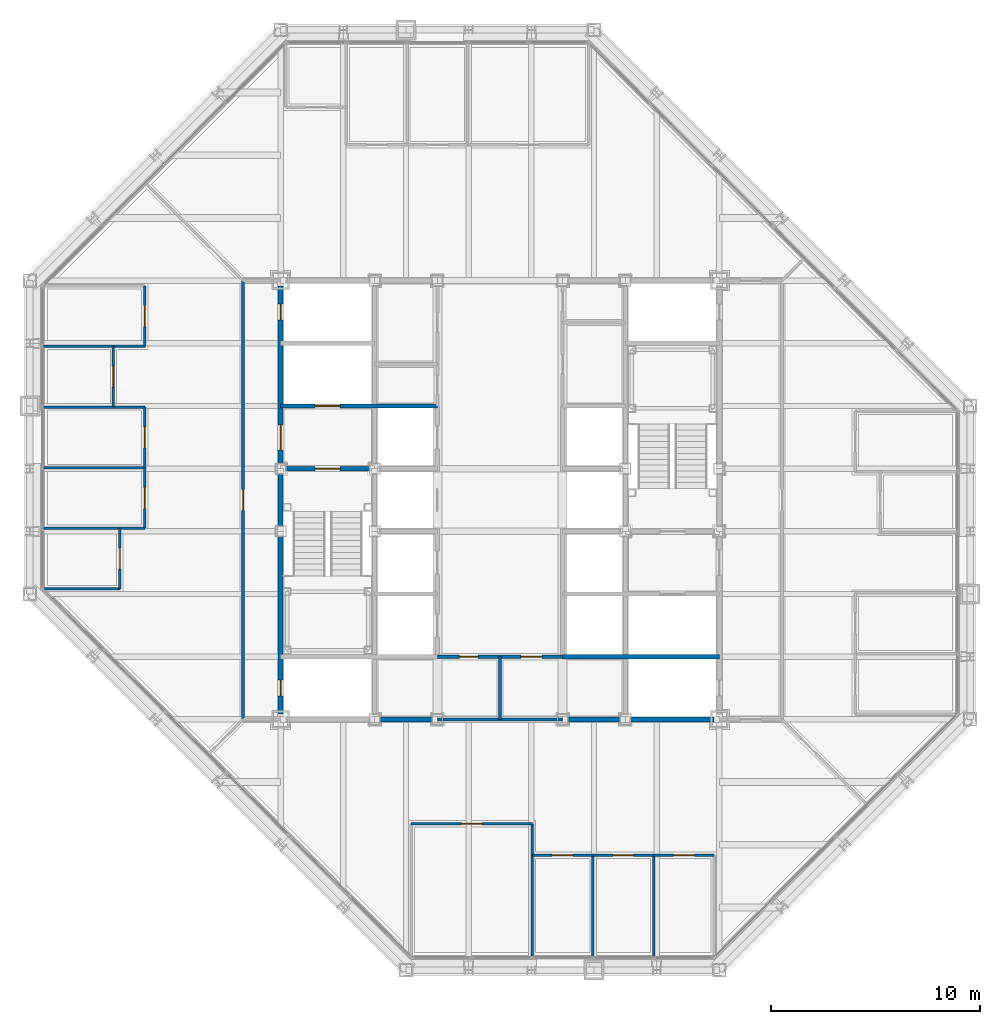
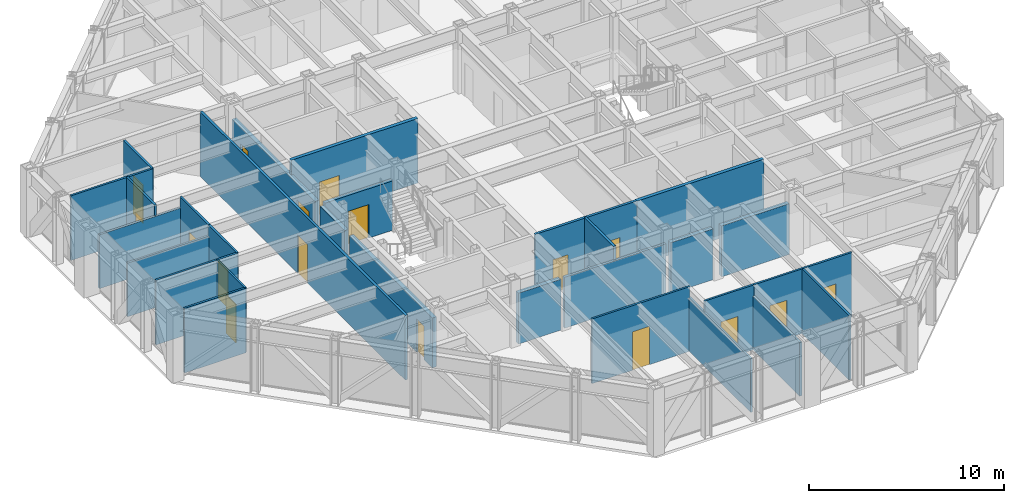
# One storey, part 11 of 16: 30 walls, 17 doors, 17 openings.
"""IFC4 building model written with IfcOpenShell, lengths in metres."""

from ifc_helpers import new_model, si_unit, direction, frame, frame_2d, origin, place, context, subcontext, project, spatial, rectangle, extrude, material, layer, layer_set, type_object, element, fill, save


model = new_model("IFC4")

# Units and contexts
model_context = context("Model", 3, precision=1e-05, world=origin(), true_north=direction((0.0, 1.0)))
body_context = subcontext(model_context, "Body", "Model", "MODEL_VIEW")
ifc_project = project(units=[si_unit("LENGTHUNIT", "METRE"), si_unit("AREAUNIT", "SQUARE_METRE"), si_unit("VOLUMEUNIT", "CUBIC_METRE"), si_unit("PLANEANGLEUNIT", "RADIAN"), si_unit("MASSUNIT", "GRAM", prefix="KILO")], contexts=[model_context])

# Site, building, storey
site_placement = place(None, origin())
site = spatial("IfcSite", under=ifc_project, at=site_placement, CompositionType="ELEMENT")
building_placement = place(site_placement, origin())
building = spatial("IfcBuilding", under=site, at=building_placement, Name="Chuquiago Exchange Tower", CompositionType="ELEMENT")
storey_placement = place(building_placement, frame((0.0, 0.0, 218.10009765625)))
storey = spatial("IfcBuildingStorey", under=building, at=storey_placement, Name="L48", CompositionType="ELEMENT", Elevation=218.10009765625)

# Wall, opening, door
ifc_material_1 = material(Name="Concrete masonry, fully grouted", Category="masonry")
ifc_layer_1 = layer(ifc_material_1, 0.25)
ifc_layer_set_1 = layer_set([ifc_layer_1], Name="W1 core wall 250")
wall_type_1 = type_object("IfcWallType", Name="W1 core wall 250", PredefinedType="SOLIDWALL", material=ifc_layer_set_1)
wall_1_placement = place(storey_placement, frame((12.0, 12.25, 0.0), z_axis=(0.0, 0.0, 1.0), x_axis=(0.0, 1.0, 0.0)))
wall_1 = element("IfcWall", 1, at=wall_1_placement, inside=storey, type_object=wall_type_1, Name="CW-L48-00-0", PredefinedType="SOLIDWALL", context=body_context, shape_type="SweptSolid", body=[
    extrude(rectangle(XDim=8.5, YDim=0.25, at=frame_2d((4.25, 0.0))), origin(), (0.0, 0.0, 1.0), 3.11279296875),
])
opening_1_placement = place(wall_1_placement, frame((0.875, 0.0, 0.0)))
opening_1 = element("IfcOpeningElement", 2, at=opening_1_placement, cuts=wall_1, Name="Opening L48-007", PredefinedType="OPENING", context=body_context, shape_type="SweptSolid", body=[
    extrude(rectangle(XDim=0.75, YDim=2.10009765625, at=frame_2d((0.375, 1.050048828125))), frame((0.0, 0.135009765625, 0.0), z_axis=(0.0, -1.0, 0.0), x_axis=(1.0, 0.0, 0.0)), (0.0, 0.0, 1.0), 0.27001953125),
])
ifc_material_2 = material(Name="Steel door, painted", Category="steel")
door_type_1 = type_object("IfcDoorType", Name="D6 riser access door 750x2100", OperationType="SINGLE_SWING_LEFT", PredefinedType="DOOR", material=ifc_material_2)
door_1_placement = place(opening_1_placement, origin())
door_1 = element("IfcDoor", 3, at=door_1_placement, inside=storey, type_object=door_type_1, Name="Riser RW1 door", OperationType="SINGLE_SWING_LEFT", OverallHeight=2.10009765625, OverallWidth=0.75, PredefinedType="DOOR", context=body_context, shape_type="SweptSolid", body=[
    extrude(rectangle(XDim=0.75, YDim=2.10009765625, at=frame_2d((0.375, 1.050048828125))), frame((0.0, 0.02490234375, 0.0), z_axis=(0.0, -1.0, 0.0), x_axis=(1.0, 0.0, 0.0)), (0.0, 0.0, 1.0), 0.050048828125),
])
fill(opening_1, door_1)

# Wall
wall_2_placement = place(storey_placement, frame((12.0, 21.25, 0.0), z_axis=(0.0, 0.0, 1.0), x_axis=(0.0, 1.0, 0.0)))
element("IfcWall", 4, at=wall_2_placement, inside=storey, type_object=wall_type_1, Name="CW-L48-00-1", PredefinedType="SOLIDWALL", context=body_context, shape_type="SweptSolid", body=[
    extrude(rectangle(XDim=2.5, YDim=0.25, at=frame_2d((1.25, 0.0))), origin(), (0.0, 0.0, 1.0), 3.11279296875),
])

# Wall, openings, doors
wall_3_placement = place(storey_placement, frame((12.0, 24.25, 0.0), z_axis=(0.0, 0.0, 1.0), x_axis=(0.0, 1.0, 0.0)))
wall_3 = element("IfcWall", 5, at=wall_3_placement, inside=storey, type_object=wall_type_1, Name="CW-L48-00-2", PredefinedType="SOLIDWALL", context=body_context, shape_type="SweptSolid", body=[
    extrude(rectangle(XDim=8.5, YDim=0.25, at=frame_2d((4.25, 0.0))), origin(), (0.0, 0.0, 1.0), 3.11279296875),
])
opening_2_placement = place(wall_3_placement, frame((0.64990234375, 0.0, 0.0)))
opening_2 = element("IfcOpeningElement", 6, at=opening_2_placement, cuts=wall_3, Name="Opening L48-002", PredefinedType="OPENING", context=body_context, shape_type="SweptSolid", body=[
    extrude(rectangle(XDim=1.199951171875, YDim=2.10009765625, at=frame_2d((0.60009765625, 1.050048828125))), frame((0.0, 0.135009765625, 0.0), z_axis=(0.0, -1.0, 0.0), x_axis=(1.0, 0.0, 0.0)), (0.0, 0.0, 1.0), 0.27001953125),
])
opening_3_placement = place(wall_3_placement, frame((6.875, 0.0, 0.0)))
opening_3 = element("IfcOpeningElement", 7, at=opening_3_placement, cuts=wall_3, Name="Opening L48-008", PredefinedType="OPENING", context=body_context, shape_type="SweptSolid", body=[
    extrude(rectangle(XDim=0.75, YDim=2.10009765625, at=frame_2d((0.375, 1.050048828125))), frame((0.0, 0.135009765625, 0.0), z_axis=(0.0, -1.0, 0.0), x_axis=(1.0, 0.0, 0.0)), (0.0, 0.0, 1.0), 0.27001953125),
])
ifc_material_3 = material(Name="Steel door, painted", Category="steel")
door_type_2 = type_object("IfcDoorType", Name="D5 firefighting lobby door 1200x2100", OperationType="SINGLE_SWING_LEFT", PredefinedType="DOOR", material=ifc_material_3)
door_2_placement = place(opening_2_placement, frame((1.199951171875, 0.0, 0.0), z_axis=(0.0, 0.0, 1.0), x_axis=(-1.0, 0.0, 0.0)))
door_2 = element("IfcDoor", 8, at=door_2_placement, inside=storey, type_object=door_type_2, Name="Firefighting lobby 1 door", OperationType="SINGLE_SWING_RIGHT", OverallHeight=2.10009765625, OverallWidth=1.199951171875, PredefinedType="DOOR", context=body_context, shape_type="SweptSolid", body=[
    extrude(rectangle(XDim=1.199951171875, YDim=2.10009765625, at=frame_2d((0.60009765625, 1.050048828125))), frame((0.0, 0.02490234375, 0.0), z_axis=(0.0, -1.0, 0.0), x_axis=(1.0, 0.0, 0.0)), (0.0, 0.0, 1.0), 0.050048828125),
])
fill(opening_2, door_2)
door_3_placement = place(opening_3_placement, origin())
door_3 = element("IfcDoor", 9, at=door_3_placement, inside=storey, type_object=door_type_1, Name="Riser RW2 door", OperationType="SINGLE_SWING_RIGHT", OverallHeight=2.10009765625, OverallWidth=0.75, PredefinedType="DOOR", context=body_context, shape_type="SweptSolid", body=[
    extrude(rectangle(XDim=0.75, YDim=2.10009765625, at=frame_2d((0.375, 1.050048828125))), frame((0.0, 0.02490234375, 0.0), z_axis=(0.0, -1.0, 0.0), x_axis=(1.0, 0.0, 0.0)), (0.0, 0.0, 1.0), 0.050048828125),
])
fill(opening_3, door_3)

# Walls
for number, where, z_axis, x_axis, name in (
    (10, (16.75, 12.0, 0.0), (0.0, 0.0, 1.0), (1.0, 0.0, 0.0), "CW-L48-01-1"),
    (11, (25.75, 12.0, 0.0), (0.0, 0.0, 1.0), (1.0, 0.0, 0.0), "CW-L48-02-0"),
):
    element("IfcWall", number, at=place(storey_placement, frame(where, z_axis=z_axis, x_axis=x_axis)), inside=storey, type_object=wall_type_1, Name=name, PredefinedType="SOLIDWALL", context=body_context, shape_type="SweptSolid", body=[
        extrude(rectangle(XDim=2.5, YDim=0.25, at=frame_2d((1.25, 0.0))), origin(), (0.0, 0.0, 1.0), 3.181396484375),
    ])
wall_4_placement = place(storey_placement, frame((28.75, 12.0, 0.0), z_axis=(0.0, 0.0, 1.0), x_axis=(1.0, 0.0, 0.0)))
element("IfcWall", 12, at=wall_4_placement, inside=storey, type_object=wall_type_1, Name="CW-L48-02-1", PredefinedType="SOLIDWALL", context=body_context, shape_type="SweptSolid", body=[
    extrude(rectangle(XDim=4.0, YDim=0.25, at=frame_2d((2.0, 0.0))), origin(), (0.0, 0.0, 1.0), 3.181396484375),
])

# Wall, opening, door
ifc_material_4 = material(Name="Gypsum board on steel studs, acoustic insulation", Category="steel")
ifc_layer_2 = layer(ifc_material_4, 0.14990234375)
ifc_layer_set_2 = layer_set([ifc_layer_2], Name="W11 corridor wall 150")
wall_type_2 = type_object("IfcWallType", Name="W11 corridor wall 150", PredefinedType="PARTITIONING", material=ifc_layer_set_2)
wall_5_placement = place(storey_placement, frame((10.199951171875, 12.0, 0.0), z_axis=(0.0, 0.0, 1.0), x_axis=(0.0, 1.0, 0.0)))
wall_5 = element("IfcWall", 13, at=wall_5_placement, inside=storey, type_object=wall_type_2, Name="PW-L48-GW0", PredefinedType="PARTITIONING", context=body_context, shape_type="SweptSolid", body=[
    extrude(rectangle(XDim=21.0, YDim=0.14990234375, at=frame_2d((10.5, 0.0))), origin(), (0.0, 0.0, 1.0), 4.039794921875),
])
opening_4_placement = place(wall_5_placement, frame((10.0, 0.0, 0.0)))
opening_4 = element("IfcOpeningElement", 14, at=opening_4_placement, cuts=wall_5, Name="Opening L48-038", PredefinedType="OPENING", context=body_context, shape_type="SweptSolid", body=[
    extrude(rectangle(XDim=1.0, YDim=2.39990234375, at=frame_2d((0.5, 1.199951171875))), frame((0.0, 0.0849609375, 0.0), z_axis=(0.0, -1.0, 0.0), x_axis=(1.0, 0.0, 0.0)), (0.0, 0.0, 1.0), 0.169921875),
])
ifc_material_5 = material(Name="Timber door, laminate faced", Category="wood")
door_type_3 = type_object("IfcDoorType", Name="D9 room door 1000x2400", OperationType="SINGLE_SWING_LEFT", PredefinedType="DOOR", material=ifc_material_5)
door_4_placement = place(opening_4_placement, origin())
door_4 = element("IfcDoor", 15, at=door_4_placement, inside=storey, type_object=door_type_3, Name="Team area door", OperationType="SINGLE_SWING_LEFT", OverallHeight=2.39990234375, OverallWidth=1.0, PredefinedType="DOOR", context=body_context, shape_type="SweptSolid", body=[
    extrude(rectangle(XDim=1.0, YDim=2.39990234375, at=frame_2d((0.5, 1.199951171875))), frame((0.0, 0.02490234375, 0.0), z_axis=(0.0, -1.0, 0.0), x_axis=(1.0, 0.0, 0.0)), (0.0, 0.0, 1.0), 0.050048828125),
])
fill(opening_4, door_4)

# Wall
ifc_material_6 = material(Name="Concrete masonry, fully grouted", Category="masonry")
ifc_layer_3 = layer(ifc_material_6, 0.199951171875)
ifc_layer_set_3 = layer_set([ifc_layer_3], Name="W2 shaft wall 200")
wall_type_3 = type_object("IfcWallType", Name="W2 shaft wall 200", PredefinedType="SOLIDWALL", material=ifc_layer_set_3)
wall_6_placement = place(storey_placement, frame((25.5, 15.0, 0.0), z_axis=(0.0, 0.0, 1.0), x_axis=(1.0, 0.0, 0.0)))
element("IfcWall", 16, at=wall_6_placement, inside=storey, type_object=wall_type_3, Name="CW-L48-04-0", PredefinedType="SOLIDWALL", context=body_context, shape_type="SweptSolid", body=[
    extrude(rectangle(XDim=7.5, YDim=0.199951171875, at=frame_2d((3.75, 0.0))), origin(), (0.0, 0.0, 1.0), 4.039794921875),
])

# Wall, opening, door
wall_7_placement = place(storey_placement, frame((12.25, 24.0, 0.0), z_axis=(0.0, 0.0, 1.0), x_axis=(1.0, 0.0, 0.0)))
wall_7 = element("IfcWall", 17, at=wall_7_placement, inside=storey, type_object=wall_type_3, Name="CW-L48-05-0", PredefinedType="SOLIDWALL", context=body_context, shape_type="SweptSolid", body=[
    extrude(rectangle(XDim=4.0, YDim=0.199951171875, at=frame_2d((2.0, 0.0))), origin(), (0.0, 0.0, 1.0), 3.08984375),
])
opening_5_placement = place(wall_7_placement, frame((1.39990234375, 0.0, 0.0)))
opening_5 = element("IfcOpeningElement", 18, at=opening_5_placement, cuts=wall_7, Name="Opening L48-001", PredefinedType="OPENING", context=body_context, shape_type="SweptSolid", body=[
    extrude(rectangle(XDim=1.199951171875, YDim=2.10009765625, at=frame_2d((0.60009765625, 1.050048828125))), frame((0.0, 0.10986328125, 0.0), z_axis=(0.0, -1.0, 0.0), x_axis=(1.0, 0.0, 0.0)), (0.0, 0.0, 1.0), 0.219970703125),
])
ifc_material_7 = material(Name="Steel door, painted", Category="steel")
door_type_4 = type_object("IfcDoorType", Name="D4 stair door 1200x2100", OperationType="SINGLE_SWING_LEFT", PredefinedType="DOOR", material=ifc_material_7)
door_5_placement = place(opening_5_placement, frame((1.199951171875, 0.0, 0.0), z_axis=(0.0, 0.0, 1.0), x_axis=(-1.0, 0.0, 0.0)))
door_5 = element("IfcDoor", 19, at=door_5_placement, inside=storey, type_object=door_type_4, Name="Stair ST1 door", OperationType="SINGLE_SWING_RIGHT", OverallHeight=2.10009765625, OverallWidth=1.199951171875, PredefinedType="DOOR", context=body_context, shape_type="SweptSolid", body=[
    extrude(rectangle(XDim=1.199951171875, YDim=2.10009765625, at=frame_2d((0.60009765625, 1.050048828125))), frame((0.0, 0.02490234375, 0.0), z_axis=(0.0, -1.0, 0.0), x_axis=(1.0, 0.0, 0.0)), (0.0, 0.0, 1.0), 0.050048828125),
])
fill(opening_5, door_5)

wall_8_placement = place(storey_placement, frame((12.0, 27.0, 0.0), z_axis=(0.0, 0.0, 1.0), x_axis=(1.0, 0.0, 0.0)))
wall_8 = element("IfcWall", 20, at=wall_8_placement, inside=storey, type_object=wall_type_3, Name="CW-L48-07-0", PredefinedType="SOLIDWALL", context=body_context, shape_type="SweptSolid", body=[
    extrude(rectangle(XDim=7.5, YDim=0.199951171875, at=frame_2d((3.75, 0.0))), origin(), (0.0, 0.0, 1.0), 4.039794921875),
])
opening_6_placement = place(wall_8_placement, frame((1.64990234375, 0.0, 0.0)))
opening_6 = element("IfcOpeningElement", 21, at=opening_6_placement, cuts=wall_8, Name="Opening L48-005", PredefinedType="OPENING", context=body_context, shape_type="SweptSolid", body=[
    extrude(rectangle(XDim=1.199951171875, YDim=2.10009765625, at=frame_2d((0.60009765625, 1.050048828125))), frame((0.0, 0.10986328125, 0.0), z_axis=(0.0, -1.0, 0.0), x_axis=(1.0, 0.0, 0.0)), (0.0, 0.0, 1.0), 0.219970703125),
])
ifc_material_8 = material(Name="Stainless steel lift landing door", Category="steel")
door_type_5 = type_object("IfcDoorType", Name="LD2 firefighting lift landing door 1200x2100", OperationType="DOUBLE_DOOR_SLIDING", PredefinedType="DOOR", material=ifc_material_8)
door_6_placement = place(opening_6_placement, origin())
door_6 = element("IfcDoor", 22, at=door_6_placement, inside=storey, type_object=door_type_5, Name="Firefighting lift FL1 landing door", OperationType="DOUBLE_DOOR_SLIDING", OverallHeight=2.10009765625, OverallWidth=1.199951171875, PredefinedType="DOOR", context=body_context, shape_type="SweptSolid", body=[
    extrude(rectangle(XDim=1.199951171875, YDim=2.10009765625, at=frame_2d((0.60009765625, 1.050048828125))), frame((0.0, 0.02490234375, 0.0), z_axis=(0.0, -1.0, 0.0), x_axis=(1.0, 0.0, 0.0)), (0.0, 0.0, 1.0), 0.050048828125),
])
fill(opening_6, door_6)

# Wall, openings, doors
ifc_material_9 = material(Name="Gypsum board on steel studs", Category="steel")
ifc_layer_4 = layer(ifc_material_9, 0.14990234375)
ifc_layer_set_4 = layer_set([ifc_layer_4], Name="W3 core partition 150")
wall_type_4 = type_object("IfcWallType", Name="W3 core partition 150", PredefinedType="PARTITIONING", material=ifc_layer_set_4)
wall_9_placement = place(storey_placement, frame((19.5, 15.0, 0.0), z_axis=(0.0, 0.0, 1.0), x_axis=(1.0, 0.0, 0.0)))
wall_9 = element("IfcWall", 23, at=wall_9_placement, inside=storey, type_object=wall_type_4, Name="CW-L48-TF", PredefinedType="PARTITIONING", context=body_context, shape_type="SweptSolid", body=[
    extrude(rectangle(XDim=6.0, YDim=0.14990234375, at=frame_2d((3.0, 0.0))), origin(), (0.0, 0.0, 1.0), 4.039794921875),
])
opening_7_placement = place(wall_9_placement, frame((4.0, 0.0, 0.0)))
opening_7 = element("IfcOpeningElement", 24, at=opening_7_placement, cuts=wall_9, Name="Opening L48-015", PredefinedType="OPENING", context=body_context, shape_type="SweptSolid", body=[
    extrude(rectangle(XDim=1.0, YDim=2.10009765625, at=frame_2d((0.5, 1.050048828125))), frame((0.0, 0.0849609375, 0.0), z_axis=(0.0, -1.0, 0.0), x_axis=(1.0, 0.0, 0.0)), (0.0, 0.0, 1.0), 0.169921875),
])
opening_8_placement = place(wall_9_placement, frame((1.050048828125, 0.0, 0.0)))
opening_8 = element("IfcOpeningElement", 25, at=opening_8_placement, cuts=wall_9, Name="Opening L48-016", PredefinedType="OPENING", context=body_context, shape_type="SweptSolid", body=[
    extrude(rectangle(XDim=0.89990234375, YDim=2.10009765625, at=frame_2d((0.449951171875, 1.050048828125))), frame((0.0, 0.0849609375, 0.0), z_axis=(0.0, -1.0, 0.0), x_axis=(1.0, 0.0, 0.0)), (0.0, 0.0, 1.0), 0.169921875),
])
ifc_material_10 = material(Name="Timber door, laminate faced", Category="wood")
door_type_6 = type_object("IfcDoorType", Name="D7 toilet door 900x2100", OperationType="SINGLE_SWING_LEFT", PredefinedType="DOOR", material=ifc_material_10)
door_7_placement = place(opening_8_placement, origin())
door_7 = element("IfcDoor", 26, at=door_7_placement, inside=storey, type_object=door_type_6, Name="Cleaner door", OperationType="SINGLE_SWING_LEFT", OverallHeight=2.10009765625, OverallWidth=0.89990234375, PredefinedType="DOOR", context=body_context, shape_type="SweptSolid", body=[
    extrude(rectangle(XDim=0.89990234375, YDim=2.10009765625, at=frame_2d((0.449951171875, 1.050048828125))), frame((0.0, 0.02490234375, 0.0), z_axis=(0.0, -1.0, 0.0), x_axis=(1.0, 0.0, 0.0)), (0.0, 0.0, 1.0), 0.050048828125),
])
fill(opening_8, door_7)
ifc_material_11 = material(Name="Timber door, laminate faced", Category="wood")
door_type_7 = type_object("IfcDoorType", Name="D8 accessible toilet door 1000x2100", OperationType="SLIDING_TO_LEFT", PredefinedType="DOOR", material=ifc_material_11)
door_8_placement = place(opening_7_placement, origin())
door_8 = element("IfcDoor", 27, at=door_8_placement, inside=storey, type_object=door_type_7, Name="Accessible WC door", OperationType="SLIDING_TO_LEFT", OverallHeight=2.10009765625, OverallWidth=1.0, PredefinedType="DOOR", context=body_context, shape_type="SweptSolid", body=[
    extrude(rectangle(XDim=1.0, YDim=2.10009765625, at=frame_2d((0.5, 1.050048828125))), frame((0.0, 0.02490234375, 0.0), z_axis=(0.0, -1.0, 0.0), x_axis=(1.0, 0.0, 0.0)), (0.0, 0.0, 1.0), 0.050048828125),
])
fill(opening_7, door_8)

# Walls
wall_10_placement = place(storey_placement, frame((22.5, 15.0, 0.0), z_axis=(0.0, 0.0, 1.0), x_axis=(0.0, -1.0, 0.0)))
element("IfcWall", 28, at=wall_10_placement, inside=storey, type_object=wall_type_4, Name="CW-L48-TM", PredefinedType="PARTITIONING", context=body_context, shape_type="SweptSolid", body=[
    extrude(rectangle(XDim=3.0, YDim=0.14990234375, at=frame_2d((1.5, 0.0))), origin(), (0.0, 0.0, 1.0), 4.039794921875),
])
wall_11_placement = place(storey_placement, frame((19.5, 12.0, 0.0), z_axis=(0.0, 0.0, 1.0), x_axis=(1.0, 0.0, 0.0)))
element("IfcWall", 29, at=wall_11_placement, inside=storey, type_object=wall_type_4, Name="CW-L48-TB", PredefinedType="PARTITIONING", context=body_context, shape_type="SweptSolid", body=[
    extrude(rectangle(XDim=6.0, YDim=0.14990234375, at=frame_2d((3.0, 0.0))), origin(), (0.0, 0.0, 1.0), 3.181396484375),
])
ifc_material_12 = material(Name="Gypsum board on steel studs", Category="steel")
ifc_layer_5 = layer(ifc_material_12, 0.1201171875)
ifc_layer_set_5 = layer_set([ifc_layer_5], Name="W4 partition 120")
wall_type_5 = type_object("IfcWallType", Name="W4 partition 120", PredefinedType="PARTITIONING", material=ifc_layer_set_5)
wall_12_placement = place(storey_placement, frame((24.0498046875, 0.652587890625, 0.0), z_axis=(0.0, 0.0, 1.0), x_axis=(0.0, 1.0, 0.0)))
element("IfcWall", 30, at=wall_12_placement, inside=storey, type_object=wall_type_5, Name="PW-L48-S02405", PredefinedType="PARTITIONING", context=body_context, shape_type="SweptSolid", body=[
    extrude(rectangle(XDim=6.347412109375, YDim=0.1201171875, at=frame_2d((3.173828125, 0.0))), origin(), (0.0, 0.0, 1.0), 3.356689453125),
])
wall_13_placement = place(storey_placement, frame((26.9501953125, 0.652587890625, 0.0), z_axis=(0.0, 0.0, 1.0), x_axis=(0.0, 1.0, 0.0)))
element("IfcWall", 31, at=wall_13_placement, inside=storey, type_object=wall_type_5, Name="PW-L48-S02695", PredefinedType="PARTITIONING", context=body_context, shape_type="SweptSolid", body=[
    extrude(rectangle(XDim=4.847412109375, YDim=0.1201171875, at=frame_2d((2.423828125, 0.0))), origin(), (0.0, 0.0, 1.0), 3.356689453125),
])
wall_14_placement = place(storey_placement, frame((29.850830078125, 0.652587890625, 0.0), z_axis=(0.0, 0.0, 1.0), x_axis=(0.0, 1.0, 0.0)))
element("IfcWall", 32, at=wall_14_placement, inside=storey, type_object=wall_type_5, Name="PW-L48-S02985", PredefinedType="PARTITIONING", context=body_context, shape_type="SweptSolid", body=[
    extrude(rectangle(XDim=4.847412109375, YDim=0.1201171875, at=frame_2d((2.423828125, 0.0))), origin(), (0.0, 0.0, 1.0), 4.039794921875),
])

# Wall, opening, door
wall_15_placement = place(storey_placement, frame((18.24853515625, 7.0, 0.0), z_axis=(0.0, 0.0, 1.0), x_axis=(1.0, 0.0, 0.0)))
wall_15 = element("IfcWall", 33, at=wall_15_placement, inside=storey, type_object=wall_type_5, Name="PW-L48-SF01825", PredefinedType="PARTITIONING", context=body_context, shape_type="SweptSolid", body=[
    extrude(rectangle(XDim=5.80126953125, YDim=0.1201171875, at=frame_2d((2.900634765625, 0.0))), origin(), (0.0, 0.0, 1.0), 4.039794921875),
])
opening_9_placement = place(wall_15_placement, frame((2.400634765625, 0.0, 0.0)))
opening_9 = element("IfcOpeningElement", 34, at=opening_9_placement, cuts=wall_15, Name="Opening L48-021", PredefinedType="OPENING", context=body_context, shape_type="SweptSolid", body=[
    extrude(rectangle(XDim=1.0, YDim=2.39990234375, at=frame_2d((0.5, 1.199951171875))), frame((0.0, 0.070068359375, 0.0), z_axis=(0.0, -1.0, 0.0), x_axis=(1.0, 0.0, 0.0)), (0.0, 0.0, 1.0), 0.14013671875),
])
ifc_material_13 = material(Name="Timber frame door, full height glazed panel", Category="wood")
door_type_8 = type_object("IfcDoorType", Name="D14 glazed meeting room door 1000x2400", OperationType="SINGLE_SWING_LEFT", PredefinedType="DOOR", material=ifc_material_13)
door_9_placement = place(opening_9_placement, frame((1.0, 0.0, 0.0), z_axis=(0.0, 0.0, 1.0), x_axis=(-1.0, 0.0, 0.0)))
door_9 = element("IfcDoor", 35, at=door_9_placement, inside=storey, type_object=door_type_8, Name="Conference room door", OperationType="SINGLE_SWING_RIGHT", OverallHeight=2.39990234375, OverallWidth=1.0, PredefinedType="DOOR", context=body_context, shape_type="SweptSolid", body=[
    extrude(rectangle(XDim=1.0, YDim=2.39990234375, at=frame_2d((0.5, 1.199951171875))), frame((0.0, 0.02490234375, 0.0), z_axis=(0.0, -1.0, 0.0), x_axis=(1.0, 0.0, 0.0)), (0.0, 0.0, 1.0), 0.050048828125),
])
fill(opening_9, door_9)

wall_16_placement = place(storey_placement, frame((24.0498046875, 5.5, 0.0), z_axis=(0.0, 0.0, 1.0), x_axis=(1.0, 0.0, 0.0)))
wall_16 = element("IfcWall", 36, at=wall_16_placement, inside=storey, type_object=wall_type_5, Name="PW-L48-SF02405", PredefinedType="PARTITIONING", context=body_context, shape_type="SweptSolid", body=[
    extrude(rectangle(XDim=2.900390625, YDim=0.1201171875, at=frame_2d((1.4501953125, 0.0))), origin(), (0.0, 0.0, 1.0), 4.039794921875),
])
opening_10_placement = place(wall_16_placement, frame((0.9501953125, 0.0, 0.0)))
opening_10 = element("IfcOpeningElement", 37, at=opening_10_placement, cuts=wall_16, Name="Opening L48-022", PredefinedType="OPENING", context=body_context, shape_type="SweptSolid", body=[
    extrude(rectangle(XDim=1.0, YDim=2.39990234375, at=frame_2d((0.5, 1.199951171875))), frame((0.0, 0.070068359375, 0.0), z_axis=(0.0, -1.0, 0.0), x_axis=(1.0, 0.0, 0.0)), (0.0, 0.0, 1.0), 0.14013671875),
])
door_10_placement = place(opening_10_placement, frame((1.0, 0.0, 0.0), z_axis=(0.0, 0.0, 1.0), x_axis=(-1.0, 0.0, 0.0)))
door_10 = element("IfcDoor", 38, at=door_10_placement, inside=storey, type_object=door_type_3, Name="Office door", OperationType="SINGLE_SWING_LEFT", OverallHeight=2.39990234375, OverallWidth=1.0, PredefinedType="DOOR", context=body_context, shape_type="SweptSolid", body=[
    extrude(rectangle(XDim=1.0, YDim=2.39990234375, at=frame_2d((0.5, 1.199951171875))), frame((0.0, 0.02490234375, 0.0), z_axis=(0.0, -1.0, 0.0), x_axis=(1.0, 0.0, 0.0)), (0.0, 0.0, 1.0), 0.050048828125),
])
fill(opening_10, door_10)

wall_17_placement = place(storey_placement, frame((26.9501953125, 5.5, 0.0), z_axis=(0.0, 0.0, 1.0), x_axis=(1.0, 0.0, 0.0)))
wall_17 = element("IfcWall", 39, at=wall_17_placement, inside=storey, type_object=wall_type_5, Name="PW-L48-SF02695", PredefinedType="PARTITIONING", context=body_context, shape_type="SweptSolid", body=[
    extrude(rectangle(XDim=2.900634765625, YDim=0.1201171875, at=frame_2d((1.4501953125, 0.0))), origin(), (0.0, 0.0, 1.0), 4.039794921875),
])
opening_11_placement = place(wall_17_placement, frame((0.9501953125, 0.0, 0.0)))
opening_11 = element("IfcOpeningElement", 40, at=opening_11_placement, cuts=wall_17, Name="Opening L48-023", PredefinedType="OPENING", context=body_context, shape_type="SweptSolid", body=[
    extrude(rectangle(XDim=1.0, YDim=2.39990234375, at=frame_2d((0.5, 1.199951171875))), frame((0.0, 0.070068359375, 0.0), z_axis=(0.0, -1.0, 0.0), x_axis=(1.0, 0.0, 0.0)), (0.0, 0.0, 1.0), 0.14013671875),
])
door_11_placement = place(opening_11_placement, frame((1.0, 0.0, 0.0), z_axis=(0.0, 0.0, 1.0), x_axis=(-1.0, 0.0, 0.0)))
door_11 = element("IfcDoor", 41, at=door_11_placement, inside=storey, type_object=door_type_3, Name="Compliance office door", OperationType="SINGLE_SWING_RIGHT", OverallHeight=2.39990234375, OverallWidth=1.0, PredefinedType="DOOR", context=body_context, shape_type="SweptSolid", body=[
    extrude(rectangle(XDim=1.0, YDim=2.39990234375, at=frame_2d((0.5, 1.199951171875))), frame((0.0, 0.02490234375, 0.0), z_axis=(0.0, -1.0, 0.0), x_axis=(1.0, 0.0, 0.0)), (0.0, 0.0, 1.0), 0.050048828125),
])
fill(opening_11, door_11)

wall_18_placement = place(storey_placement, frame((29.850830078125, 5.5, 0.0), z_axis=(0.0, 0.0, 1.0), x_axis=(1.0, 0.0, 0.0)))
wall_18 = element("IfcWall", 42, at=wall_18_placement, inside=storey, type_object=wall_type_5, Name="PW-L48-SF02985", PredefinedType="PARTITIONING", context=body_context, shape_type="SweptSolid", body=[
    extrude(rectangle(XDim=2.900634765625, YDim=0.1201171875, at=frame_2d((1.4501953125, 0.0))), origin(), (0.0, 0.0, 1.0), 4.039794921875),
])
opening_12_placement = place(wall_18_placement, frame((0.9501953125, 0.0, 0.0)))
opening_12 = element("IfcOpeningElement", 43, at=opening_12_placement, cuts=wall_18, Name="Opening L48-024", PredefinedType="OPENING", context=body_context, shape_type="SweptSolid", body=[
    extrude(rectangle(XDim=1.0, YDim=2.39990234375, at=frame_2d((0.5, 1.199951171875))), frame((0.0, 0.070068359375, 0.0), z_axis=(0.0, -1.0, 0.0), x_axis=(1.0, 0.0, 0.0)), (0.0, 0.0, 1.0), 0.14013671875),
])
door_12_placement = place(opening_12_placement, frame((1.0, 0.0, 0.0), z_axis=(0.0, 0.0, 1.0), x_axis=(-1.0, 0.0, 0.0)))
door_12 = element("IfcDoor", 44, at=door_12_placement, inside=storey, type_object=door_type_3, Name="Office door", OperationType="SINGLE_SWING_RIGHT", OverallHeight=2.39990234375, OverallWidth=1.0, PredefinedType="DOOR", context=body_context, shape_type="SweptSolid", body=[
    extrude(rectangle(XDim=1.0, YDim=2.39990234375, at=frame_2d((0.5, 1.199951171875))), frame((0.0, 0.02490234375, 0.0), z_axis=(0.0, -1.0, 0.0), x_axis=(1.0, 0.0, 0.0)), (0.0, 0.0, 1.0), 0.050048828125),
])
fill(opening_12, door_12)

# Walls
wall_19_placement = place(storey_placement, frame((0.666015625, 18.24853515625, 0.0), z_axis=(0.0, 0.0, 1.0), x_axis=(1.0, 0.0, 0.0)))
element("IfcWall", 45, at=wall_19_placement, inside=storey, type_object=wall_type_5, Name="PW-L48-W01825", PredefinedType="PARTITIONING", context=body_context, shape_type="SweptSolid", body=[
    extrude(rectangle(XDim=3.634033203125, YDim=0.1201171875, at=frame_2d((1.81689453125, 0.0))), origin(), (0.0, 0.0, 1.0), 4.039794921875),
])
wall_20_placement = place(storey_placement, frame((0.652587890625, 21.149169921875, 0.0), z_axis=(0.0, 0.0, 1.0), x_axis=(1.0, 0.0, 0.0)))
element("IfcWall", 46, at=wall_20_placement, inside=storey, type_object=wall_type_5, Name="PW-L48-W02115", PredefinedType="PARTITIONING", context=body_context, shape_type="SweptSolid", body=[
    extrude(rectangle(XDim=4.847412109375, YDim=0.1201171875, at=frame_2d((2.423828125, 0.0))), origin(), (0.0, 0.0, 1.0), 4.039794921875),
])
for number, where, z_axis, x_axis, name in (
    (47, (0.652587890625, 24.0498046875, 0.0), (0.0, 0.0, 1.0), (1.0, 0.0, 0.0), "PW-L48-W02405"),
    (48, (0.652587890625, 26.9501953125, 0.0), (0.0, 0.0, 1.0), (1.0, 0.0, 0.0), "PW-L48-W02695"),
):
    element("IfcWall", number, at=place(storey_placement, frame(where, z_axis=z_axis, x_axis=x_axis)), inside=storey, type_object=wall_type_5, Name=name, PredefinedType="PARTITIONING", context=body_context, shape_type="SweptSolid", body=[
        extrude(rectangle(XDim=4.847412109375, YDim=0.1201171875, at=frame_2d((2.423828125, 0.0))), origin(), (0.0, 0.0, 1.0), 3.356689453125),
    ])
wall_21_placement = place(storey_placement, frame((0.652587890625, 29.850830078125, 0.0), z_axis=(0.0, 0.0, 1.0), x_axis=(1.0, 0.0, 0.0)))
element("IfcWall", 49, at=wall_21_placement, inside=storey, type_object=wall_type_5, Name="PW-L48-W02985", PredefinedType="PARTITIONING", context=body_context, shape_type="SweptSolid", body=[
    extrude(rectangle(XDim=4.847412109375, YDim=0.1201171875, at=frame_2d((2.423828125, 0.0))), origin(), (0.0, 0.0, 1.0), 4.039794921875),
])

# Wall, opening, door
wall_22_placement = place(storey_placement, frame((4.300048828125, 18.24853515625, 0.0), z_axis=(0.0, 0.0, 1.0), x_axis=(0.0, 1.0, 0.0)))
wall_22 = element("IfcWall", 50, at=wall_22_placement, inside=storey, type_object=wall_type_5, Name="PW-L48-WF01825", PredefinedType="PARTITIONING", context=body_context, shape_type="SweptSolid", body=[
    extrude(rectangle(XDim=2.900634765625, YDim=0.1201171875, at=frame_2d((1.4501953125, 0.0))), origin(), (0.0, 0.0, 1.0), 4.039794921875),
])
opening_13_placement = place(wall_22_placement, frame((0.9501953125, 0.0, 0.0)))
opening_13 = element("IfcOpeningElement", 51, at=opening_13_placement, cuts=wall_22, Name="Opening L48-033", PredefinedType="OPENING", context=body_context, shape_type="SweptSolid", body=[
    extrude(rectangle(XDim=1.0, YDim=2.39990234375, at=frame_2d((0.5, 1.199951171875))), frame((0.0, 0.070068359375, 0.0), z_axis=(0.0, -1.0, 0.0), x_axis=(1.0, 0.0, 0.0)), (0.0, 0.0, 1.0), 0.14013671875),
])
door_13_placement = place(opening_13_placement, origin())
door_13 = element("IfcDoor", 52, at=door_13_placement, inside=storey, type_object=door_type_3, Name="Pantry door", OperationType="SINGLE_SWING_LEFT", OverallHeight=2.39990234375, OverallWidth=1.0, PredefinedType="DOOR", context=body_context, shape_type="SweptSolid", body=[
    extrude(rectangle(XDim=1.0, YDim=2.39990234375, at=frame_2d((0.5, 1.199951171875))), frame((0.0, 0.02490234375, 0.0), z_axis=(0.0, -1.0, 0.0), x_axis=(1.0, 0.0, 0.0)), (0.0, 0.0, 1.0), 0.050048828125),
])
fill(opening_13, door_13)

wall_23_placement = place(storey_placement, frame((5.5, 21.149169921875, 0.0), z_axis=(0.0, 0.0, 1.0), x_axis=(0.0, 1.0, 0.0)))
wall_23 = element("IfcWall", 53, at=wall_23_placement, inside=storey, type_object=wall_type_5, Name="PW-L48-WF02115", PredefinedType="PARTITIONING", context=body_context, shape_type="SweptSolid", body=[
    extrude(rectangle(XDim=2.900634765625, YDim=0.1201171875, at=frame_2d((1.4501953125, 0.0))), origin(), (0.0, 0.0, 1.0), 4.039794921875),
])
opening_14_placement = place(wall_23_placement, frame((0.9501953125, 0.0, 0.0)))
opening_14 = element("IfcOpeningElement", 54, at=opening_14_placement, cuts=wall_23, Name="Opening L48-034", PredefinedType="OPENING", context=body_context, shape_type="SweptSolid", body=[
    extrude(rectangle(XDim=1.0, YDim=2.39990234375, at=frame_2d((0.5, 1.199951171875))), frame((0.0, 0.070068359375, 0.0), z_axis=(0.0, -1.0, 0.0), x_axis=(1.0, 0.0, 0.0)), (0.0, 0.0, 1.0), 0.14013671875),
])
door_14_placement = place(opening_14_placement, origin())
door_14 = element("IfcDoor", 55, at=door_14_placement, inside=storey, type_object=door_type_3, Name="Office door", OperationType="SINGLE_SWING_LEFT", OverallHeight=2.39990234375, OverallWidth=1.0, PredefinedType="DOOR", context=body_context, shape_type="SweptSolid", body=[
    extrude(rectangle(XDim=1.0, YDim=2.39990234375, at=frame_2d((0.5, 1.199951171875))), frame((0.0, 0.02490234375, 0.0), z_axis=(0.0, -1.0, 0.0), x_axis=(1.0, 0.0, 0.0)), (0.0, 0.0, 1.0), 0.050048828125),
])
fill(opening_14, door_14)

wall_24_placement = place(storey_placement, frame((5.5, 24.0498046875, 0.0), z_axis=(0.0, 0.0, 1.0), x_axis=(0.0, 1.0, 0.0)))
wall_24 = element("IfcWall", 56, at=wall_24_placement, inside=storey, type_object=wall_type_5, Name="PW-L48-WF02405", PredefinedType="PARTITIONING", context=body_context, shape_type="SweptSolid", body=[
    extrude(rectangle(XDim=2.900390625, YDim=0.1201171875, at=frame_2d((1.4501953125, 0.0))), origin(), (0.0, 0.0, 1.0), 4.039794921875),
])
opening_15_placement = place(wall_24_placement, frame((0.9501953125, 0.0, 0.0)))
opening_15 = element("IfcOpeningElement", 57, at=opening_15_placement, cuts=wall_24, Name="Opening L48-035", PredefinedType="OPENING", context=body_context, shape_type="SweptSolid", body=[
    extrude(rectangle(XDim=1.0, YDim=2.39990234375, at=frame_2d((0.5, 1.199951171875))), frame((0.0, 0.070068359375, 0.0), z_axis=(0.0, -1.0, 0.0), x_axis=(1.0, 0.0, 0.0)), (0.0, 0.0, 1.0), 0.14013671875),
])
door_15_placement = place(opening_15_placement, origin())
door_15 = element("IfcDoor", 58, at=door_15_placement, inside=storey, type_object=door_type_8, Name="Meeting room door", OperationType="SINGLE_SWING_RIGHT", OverallHeight=2.39990234375, OverallWidth=1.0, PredefinedType="DOOR", context=body_context, shape_type="SweptSolid", body=[
    extrude(rectangle(XDim=1.0, YDim=2.39990234375, at=frame_2d((0.5, 1.199951171875))), frame((0.0, 0.02490234375, 0.0), z_axis=(0.0, -1.0, 0.0), x_axis=(1.0, 0.0, 0.0)), (0.0, 0.0, 1.0), 0.050048828125),
])
fill(opening_15, door_15)

wall_25_placement = place(storey_placement, frame((4.0, 26.9501953125, 0.0), z_axis=(0.0, 0.0, 1.0), x_axis=(0.0, 1.0, 0.0)))
wall_25 = element("IfcWall", 59, at=wall_25_placement, inside=storey, type_object=wall_type_5, Name="PW-L48-WF02695", PredefinedType="PARTITIONING", context=body_context, shape_type="SweptSolid", body=[
    extrude(rectangle(XDim=2.900634765625, YDim=0.1201171875, at=frame_2d((1.4501953125, 0.0))), origin(), (0.0, 0.0, 1.0), 4.039794921875),
])
opening_16_placement = place(wall_25_placement, frame((0.9501953125, 0.0, 0.0)))
opening_16 = element("IfcOpeningElement", 60, at=opening_16_placement, cuts=wall_25, Name="Opening L48-036", PredefinedType="OPENING", context=body_context, shape_type="SweptSolid", body=[
    extrude(rectangle(XDim=1.0, YDim=2.39990234375, at=frame_2d((0.5, 1.199951171875))), frame((0.0, 0.070068359375, 0.0), z_axis=(0.0, -1.0, 0.0), x_axis=(1.0, 0.0, 0.0)), (0.0, 0.0, 1.0), 0.14013671875),
])
door_16_placement = place(opening_16_placement, origin())
door_16 = element("IfcDoor", 61, at=door_16_placement, inside=storey, type_object=door_type_3, Name="Store door", OperationType="SINGLE_SWING_LEFT", OverallHeight=2.39990234375, OverallWidth=1.0, PredefinedType="DOOR", context=body_context, shape_type="SweptSolid", body=[
    extrude(rectangle(XDim=1.0, YDim=2.39990234375, at=frame_2d((0.5, 1.199951171875))), frame((0.0, 0.02490234375, 0.0), z_axis=(0.0, -1.0, 0.0), x_axis=(1.0, 0.0, 0.0)), (0.0, 0.0, 1.0), 0.050048828125),
])
fill(opening_16, door_16)

wall_26_placement = place(storey_placement, frame((5.5, 29.850830078125, 0.0), z_axis=(0.0, 0.0, 1.0), x_axis=(0.0, 1.0, 0.0)))
wall_26 = element("IfcWall", 62, at=wall_26_placement, inside=storey, type_object=wall_type_5, Name="PW-L48-WF02985", PredefinedType="PARTITIONING", context=body_context, shape_type="SweptSolid", body=[
    extrude(rectangle(XDim=2.900634765625, YDim=0.1201171875, at=frame_2d((1.4501953125, 0.0))), origin(), (0.0, 0.0, 1.0), 4.039794921875),
])
opening_17_placement = place(wall_26_placement, frame((0.9501953125, 0.0, 0.0)))
opening_17 = element("IfcOpeningElement", 63, at=opening_17_placement, cuts=wall_26, Name="Opening L48-037", PredefinedType="OPENING", context=body_context, shape_type="SweptSolid", body=[
    extrude(rectangle(XDim=1.0, YDim=2.39990234375, at=frame_2d((0.5, 1.199951171875))), frame((0.0, 0.070068359375, 0.0), z_axis=(0.0, -1.0, 0.0), x_axis=(1.0, 0.0, 0.0)), (0.0, 0.0, 1.0), 0.14013671875),
])
door_17_placement = place(opening_17_placement, origin())
door_17 = element("IfcDoor", 64, at=door_17_placement, inside=storey, type_object=door_type_3, Name="Office door", OperationType="SINGLE_SWING_LEFT", OverallHeight=2.39990234375, OverallWidth=1.0, PredefinedType="DOOR", context=body_context, shape_type="SweptSolid", body=[
    extrude(rectangle(XDim=1.0, YDim=2.39990234375, at=frame_2d((0.5, 1.199951171875))), frame((0.0, 0.02490234375, 0.0), z_axis=(0.0, -1.0, 0.0), x_axis=(1.0, 0.0, 0.0)), (0.0, 0.0, 1.0), 0.050048828125),
])
fill(opening_17, door_17)

save(model, "model.ifc")
